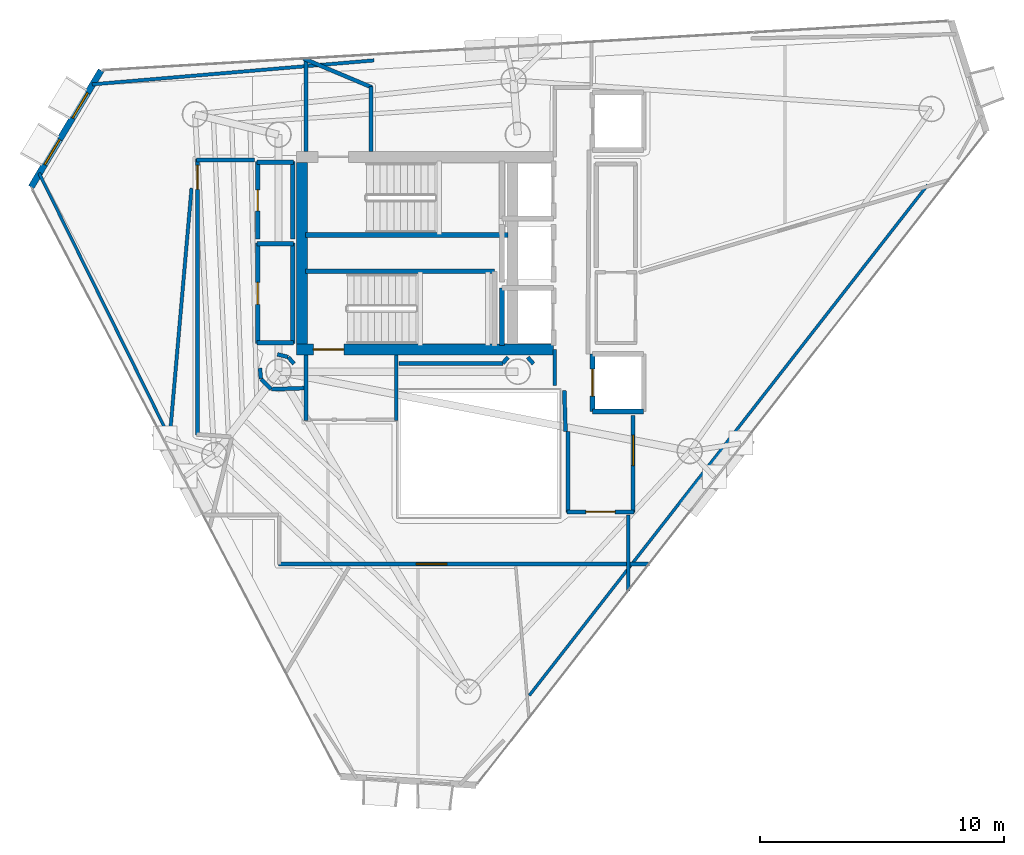
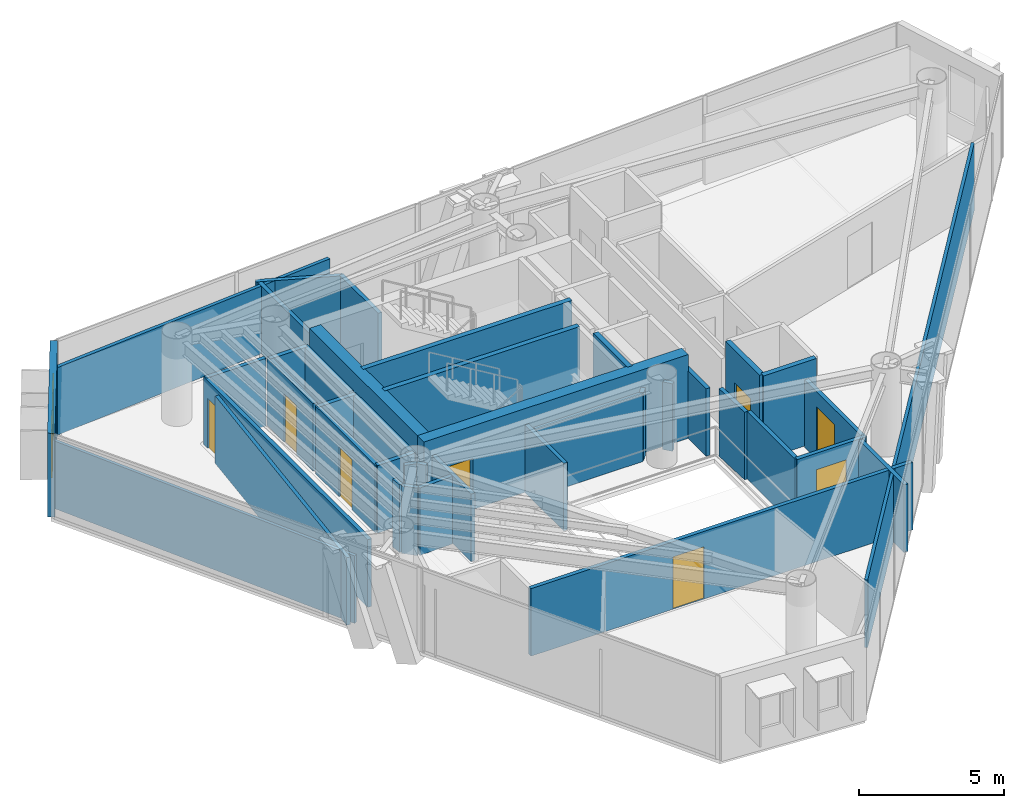
# One storey, part 14 of 18: 41 walls, 8 doors, 2 windows, 10 openings.
"""IFC4 building model written with IfcOpenShell, lengths in metres."""

from ifc_helpers import new_model, si_unit, direction, frame, frame_2d, origin, place, context, subcontext, project, spatial, rectangle, extrude, material, layer, layer_set, type_object, element, fill, save


model = new_model("IFC4")

# Units and contexts
model_context = context("Model", 3, precision=1e-05, world=origin(), true_north=direction((0.0, 1.0)))
body_context = subcontext(model_context, "Body", "Model", "MODEL_VIEW")
ifc_project = project(units=[si_unit("LENGTHUNIT", "METRE"), si_unit("AREAUNIT", "SQUARE_METRE"), si_unit("VOLUMEUNIT", "CUBIC_METRE"), si_unit("PLANEANGLEUNIT", "RADIAN"), si_unit("MASSUNIT", "GRAM", prefix="KILO")], contexts=[model_context])

# Site, building, storey
site_placement = place(None, origin())
site = spatial("IfcSite", under=ifc_project, at=site_placement, CompositionType="ELEMENT")
building_placement = place(site_placement, origin())
building = spatial("IfcBuilding", under=site, at=building_placement, Name="Qianvela Tower", CompositionType="ELEMENT")
storey_placement = place(building_placement, frame((0.0, 0.0, 264.89990234375)))
storey = spatial("IfcBuildingStorey", under=building, at=storey_placement, Name="L68", CompositionType="ELEMENT", Elevation=264.89990234375)

# Wall, openings, windows
ifc_material_1 = material(Name="Terracotta Cladding on Concrete C40", Category="masonry")
ifc_layer_1 = layer(ifc_material_1, 0.260009765625)
ifc_layer_set_1 = layer_set([ifc_layer_1], Name="Terracotta Cladding on Concrete C40")
wall_type_1 = type_object("IfcWallType", Name="TERRACOTTA-WALL-260", PredefinedType="SOLIDWALL", material=ifc_layer_set_1)
wall_1_placement = place(storey_placement, frame((21.33837890625, 36.18408203125, 0.0), z_axis=(0.0, 0.0, 1.0), x_axis=(-0.514044256725, -0.857763663329, 0.0)))
wall_1 = element("IfcWall", 1, at=wall_1_placement, inside=storey, type_object=wall_type_1, Name="L68 Terracotta Chamfer Facet Wall 3", PredefinedType="SOLIDWALL", context=body_context, shape_type="SweptSolid", body=[
    extrude(rectangle(XDim=5.567138671875, YDim=0.260009765625, at=frame_2d((2.78369140625, 0.0))), origin(), (0.0, 0.0, 1.0), 3.52001953125),
])
opening_1_placement = place(wall_1_placement, frame((1.070068359375, 0.0, 0.89990234375)))
opening_1 = element("IfcOpeningElement", 2, at=opening_1_placement, cuts=wall_1, Name="Opening W-03", PredefinedType="OPENING", context=body_context, shape_type="SweptSolid", body=[
    extrude(rectangle(XDim=1.199951171875, YDim=2.0, at=frame_2d((0.60009765625, 1.0))), frame((0.0, 0.139892578125, 0.0), z_axis=(0.0, -1.0, 0.0), x_axis=(1.0, 0.0, 0.0)), (0.0, 0.0, 1.0), 0.280029296875),
])
opening_2_placement = place(wall_1_placement, frame((3.297119140625, 0.0, 0.89990234375)))
opening_2 = element("IfcOpeningElement", 3, at=opening_2_placement, cuts=wall_1, Name="Opening W-03", PredefinedType="OPENING", context=body_context, shape_type="SweptSolid", body=[
    extrude(rectangle(XDim=1.199951171875, YDim=2.0, at=frame_2d((0.60009765625, 1.0))), frame((0.0, 0.139892578125, 0.0), z_axis=(0.0, -1.0, 0.0), x_axis=(1.0, 0.0, 0.0)), (0.0, 0.0, 1.0), 0.280029296875),
])
ifc_material_2 = material(Name="Thermally Broken Aluminium and Low-E Glass", Category="aluminium")
window_type = type_object("IfcWindowType", Name="WIN-TC-1200x2000", PartitioningType="SINGLE_PANEL", PredefinedType="WINDOW", material=ifc_material_2)
window_1_placement = place(opening_1_placement, origin())
window_1 = element("IfcWindow", 4, at=window_1_placement, inside=storey, type_object=window_type, Name="L68 Chamfer Facet Window 3.1", OverallHeight=2.0, OverallWidth=1.199951171875, PartitioningType="SINGLE_PANEL", PredefinedType="WINDOW", context=body_context, shape_type="SweptSolid", body=[
    extrude(rectangle(XDim=1.199951171875, YDim=2.0, at=frame_2d((0.60009765625, 1.0))), frame((0.0, 0.030029296875, 0.0), z_axis=(0.0, -1.0, 0.0), x_axis=(1.0, 0.0, 0.0)), (0.0, 0.0, 1.0), 0.06005859375),
])
fill(opening_1, window_1)
window_2_placement = place(opening_2_placement, origin())
window_2 = element("IfcWindow", 5, at=window_2_placement, inside=storey, type_object=window_type, Name="L68 Chamfer Facet Window 3.2", OverallHeight=2.0, OverallWidth=1.199951171875, PartitioningType="SINGLE_PANEL", PredefinedType="WINDOW", context=body_context, shape_type="SweptSolid", body=[
    extrude(rectangle(XDim=1.199951171875, YDim=2.0, at=frame_2d((0.60009765625, 1.0))), frame((0.0, 0.030029296875, 0.0), z_axis=(0.0, -1.0, 0.0), x_axis=(1.0, 0.0, 0.0)), (0.0, 0.0, 1.0), 0.06005859375),
])
fill(opening_2, window_2)

# Wall, opening, door
ifc_material_3 = material(Name="Concrete C50", Category="concrete")
ifc_layer_2 = layer(ifc_material_3, 0.449951171875)
ifc_layer_set_2 = layer_set([ifc_layer_2], Name="Concrete C50")
wall_type_2 = type_object("IfcWallType", Name="WT-CORE-450", PredefinedType="SHEAR", material=ifc_layer_set_2)
wall_2_placement = place(storey_placement, frame((29.330078125, 24.7548828125, 0.0), z_axis=(0.0, 0.0, 1.0), x_axis=(1.0, 0.0, 0.0)))
wall_2 = element("IfcWall", 6, at=wall_2_placement, inside=storey, type_object=wall_type_2, Name="L68 South Core Shear Wall", PredefinedType="SHEAR", context=body_context, shape_type="SweptSolid", body=[
    extrude(rectangle(XDim=10.52001953125, YDim=0.449951171875, at=frame_2d((5.260009765625, 0.0))), origin(), (0.0, 0.0, 1.0), 3.52001953125),
])
opening_3_placement = place(wall_2_placement, frame((0.695068359375, 0.0, 0.0)))
opening_3 = element("IfcOpeningElement", 7, at=opening_3_placement, cuts=wall_2, Name="Opening D-ST1", PredefinedType="OPENING", context=body_context, shape_type="SweptSolid", body=[
    extrude(rectangle(XDim=1.25, YDim=2.14990234375, at=frame_2d((0.625, 1.074951171875))), frame((0.0, 0.23486328125, 0.0), z_axis=(0.0, -1.0, 0.0), x_axis=(1.0, 0.0, 0.0)), (0.0, 0.0, 1.0), 0.469970703125),
])
ifc_material_4 = material(Name="Galvanised Fire Steel Q355B", Category="steel")
door_type_1 = type_object("IfcDoorType", Name="DT-STAIR-FD90", OperationType="NOTDEFINED", PredefinedType="DOOR", material=ifc_material_4)
door_1_placement = place(opening_3_placement, origin())
door_1 = element("IfcDoor", 8, at=door_1_placement, inside=storey, type_object=door_type_1, Name="L68 Stair ST-2 Exit Door", OperationType="SINGLE_SWING_RIGHT", OverallHeight=2.14990234375, OverallWidth=1.25, PredefinedType="DOOR", context=body_context, shape_type="SweptSolid", body=[
    extrude(rectangle(XDim=1.25, YDim=2.14990234375, at=frame_2d((0.625, 1.074951171875))), frame((0.0, 0.02490234375, 0.0), z_axis=(0.0, -1.0, 0.0), x_axis=(1.0, 0.0, 0.0)), (0.0, 0.0, 1.0), 0.050048828125),
])
fill(opening_3, door_1)

# Walls
wall_3_placement = place(storey_placement, frame((29.554931640625, 24.97998046875, 0.0), z_axis=(0.0, 0.0, 1.0), x_axis=(0.0, 1.0, 0.0)))
element("IfcWall", 9, at=wall_3_placement, inside=storey, type_object=wall_type_2, Name="L68 West Core Shear Wall", PredefinedType="SHEAR", context=body_context, shape_type="SweptSolid", body=[
    extrude(rectangle(XDim=7.43994140625, YDim=0.449951171875, at=frame_2d((3.719970703125, 0.0))), origin(), (0.0, 0.0, 1.0), 3.52001953125),
])
ifc_material_5 = material(Name="Fire-Rated Gypsum and Concrete Block", Category="concrete")
ifc_layer_3 = layer(ifc_material_5, 0.159912109375)
ifc_layer_set_3 = layer_set([ifc_layer_3], Name="Fire-Rated Gypsum and Concrete Block")
wall_type_3 = type_object("IfcWallType", Name="WT-CORR-160", PredefinedType="PARTITIONING", material=ifc_layer_set_3)
wall_4_placement = place(storey_placement, frame((29.73095703125, 32.85791015625, 0.0), z_axis=(0.0, 0.0, 1.0), x_axis=(0.0, 1.0, 0.0)))
element("IfcWall", 10, at=wall_4_placement, inside=storey, type_object=wall_type_3, Name="L68 Partition 2", PredefinedType="PARTITIONING", context=body_context, shape_type="SweptSolid", body=[
    extrude(rectangle(XDim=3.833984375, YDim=0.159912109375, at=frame_2d((1.9169921875, 0.0))), origin(), (0.0, 0.0, 1.0), 2.840087890625),
])
wall_5_placement = place(storey_placement, frame((29.631591796875, 36.666015625, 0.0), z_axis=(0.0, 0.0, 1.0), x_axis=(0.921284244724, -0.388889882131, 0.0)))
element("IfcWall", 11, at=wall_5_placement, inside=storey, type_object=wall_type_3, Name="L68 Partition 3", PredefinedType="PARTITIONING", context=body_context, shape_type="SweptSolid", body=[
    extrude(rectangle(XDim=3.026611328125, YDim=0.159912109375, at=frame_2d((1.51318359375, 0.0))), origin(), (0.0, 0.0, 1.0), 2.840087890625),
])
wall_6_placement = place(storey_placement, frame((32.388916015625, 35.52001953125, 0.0), z_axis=(0.0, 0.0, 1.0), x_axis=(0.0, -1.0, 0.0)))
element("IfcWall", 12, at=wall_6_placement, inside=storey, type_object=wall_type_3, Name="L68 Partition 4", PredefinedType="PARTITIONING", context=body_context, shape_type="SweptSolid", body=[
    extrude(rectangle(XDim=2.662109375, YDim=0.159912109375, at=frame_2d((1.3310546875, 0.0))), origin(), (0.0, 0.0, 1.0), 2.840087890625),
])
for number, where, z_axis, x_axis, name in (
    (13, (29.73095703125, 21.85009765625, 0.0), (0.0, 0.0, 1.0), (0.0, 1.0, 0.0), "L68 Partition 6"),
    (14, (33.4189453125, 24.5419921875, 0.0), (0.0, 0.0, 1.0), (0.0, -1.0, 0.0), "L68 Partition 8"),
):
    element("IfcWall", number, at=place(storey_placement, frame(where, z_axis=z_axis, x_axis=x_axis)), inside=storey, type_object=wall_type_3, Name=name, PredefinedType="PARTITIONING", context=body_context, shape_type="SweptSolid", body=[
        extrude(rectangle(XDim=2.69189453125, YDim=0.159912109375, at=frame_2d((1.345947265625, 0.0))), origin(), (0.0, 0.0, 1.0), 2.840087890625),
    ])
wall_7_placement = place(storey_placement, frame((40.35107421875, 21.40087890625, 0.0), z_axis=(0.0, 0.0, 1.0), x_axis=(-0.031058045979, 0.999517582527, 0.0)))
element("IfcWall", 15, at=wall_7_placement, inside=storey, type_object=wall_type_3, Name="L68 Partition 9", PredefinedType="PARTITIONING", context=body_context, shape_type="SweptSolid", body=[
    extrude(rectangle(XDim=1.68212890625, YDim=0.159912109375, at=frame_2d((0.841064453125, 0.0))), origin(), (0.0, 0.0, 1.0), 2.840087890625),
])
wall_8_placement = place(storey_placement, frame((39.910888671875, 23.280029296875, 0.0), z_axis=(0.0, 0.0, 1.0), x_axis=(0.0, 1.0, 0.0)))
element("IfcWall", 16, at=wall_8_placement, inside=storey, type_object=wall_type_3, Name="L68 Partition 10", PredefinedType="PARTITIONING", context=body_context, shape_type="SweptSolid", body=[
    extrude(rectangle(XDim=1.47998046875, YDim=0.159912109375, at=frame_2d((0.739990234375, 0.0))), origin(), (0.0, 0.0, 1.0), 2.840087890625),
])

# Wall, opening, door
wall_9_placement = place(storey_placement, frame((43.118896484375, 22.050048828125, 0.0), z_axis=(0.0, 0.0, 1.0), x_axis=(0.0, -1.0, 0.0)))
wall_9 = element("IfcWall", 17, at=wall_9_placement, inside=storey, type_object=wall_type_3, Name="L68 Partition 16", PredefinedType="PARTITIONING", context=body_context, shape_type="SweptSolid", body=[
    extrude(rectangle(XDim=3.969970703125, YDim=0.159912109375, at=frame_2d((1.98486328125, 0.0))), origin(), (0.0, 0.0, 1.0), 2.840087890625),
])
opening_4_placement = place(wall_9_placement, frame((0.800048828125, 0.0, 0.0)))
opening_4 = element("IfcOpeningElement", 18, at=opening_4_placement, cuts=wall_9, Name="Opening D-LG1", PredefinedType="OPENING", context=body_context, shape_type="SweptSolid", body=[
    extrude(rectangle(XDim=1.25, YDim=2.199951171875, at=frame_2d((0.625, 1.10009765625))), frame((0.0, 0.08984375, 0.0), z_axis=(0.0, -1.0, 0.0), x_axis=(1.0, 0.0, 0.0)), (0.0, 0.0, 1.0), 0.179931640625),
])
ifc_material_6 = material(Name="Anodised Aluminium Acoustic Glass Door", Category="aluminium")
door_type_2 = type_object("IfcDoorType", Name="DT-LOUNGE-1250", OperationType="NOTDEFINED", PredefinedType="DOOR", material=ifc_material_6)
door_2_placement = place(opening_4_placement, origin())
door_2 = element("IfcDoor", 19, at=door_2_placement, inside=storey, type_object=door_type_2, Name="L68 Door Graduate Seminar Classroom L68-02 to L68 Lift Lobby", OperationType="SINGLE_SWING_RIGHT", OverallHeight=2.199951171875, OverallWidth=1.25, PredefinedType="DOOR", context=body_context, shape_type="SweptSolid", body=[
    extrude(rectangle(XDim=1.25, YDim=2.199951171875, at=frame_2d((0.625, 1.10009765625))), frame((0.0, 0.02490234375, 0.0), z_axis=(0.0, -1.0, 0.0), x_axis=(1.0, 0.0, 0.0)), (0.0, 0.0, 1.0), 0.050048828125),
])
fill(opening_4, door_2)

wall_10_placement = place(storey_placement, frame((43.14990234375, 18.111083984375, 0.0), z_axis=(0.0, 0.0, 1.0), x_axis=(-1.0, 0.0, 0.0)))
wall_10 = element("IfcWall", 20, at=wall_10_placement, inside=storey, type_object=wall_type_3, Name="L68 Partition 17", PredefinedType="PARTITIONING", context=body_context, shape_type="SweptSolid", body=[
    extrude(rectangle(XDim=2.72998046875, YDim=0.159912109375, at=frame_2d((1.364990234375, 0.0))), origin(), (0.0, 0.0, 1.0), 2.840087890625),
])
opening_5_placement = place(wall_10_placement, frame((0.764892578125, 0.0, 0.0)))
opening_5 = element("IfcOpeningElement", 21, at=opening_5_placement, cuts=wall_10, Name="Opening D-LB1", PredefinedType="OPENING", context=body_context, shape_type="SweptSolid", body=[
    extrude(rectangle(XDim=1.199951171875, YDim=2.14990234375, at=frame_2d((0.60009765625, 1.074951171875))), frame((0.0, 0.08984375, 0.0), z_axis=(0.0, -1.0, 0.0), x_axis=(1.0, 0.0, 0.0)), (0.0, 0.0, 1.0), 0.179931640625),
])
ifc_material_7 = material(Name="Glazed Fire-Rated Steel Frame", Category="steel")
door_type_3 = type_object("IfcDoorType", Name="DT-LOBBY-FD90", OperationType="NOTDEFINED", PredefinedType="DOOR", material=ifc_material_7)
door_3_placement = place(opening_5_placement, origin())
door_3 = element("IfcDoor", 22, at=door_3_placement, inside=storey, type_object=door_type_3, Name="L68 Door L68 Lift Lobby to L68 Floor Corridor", OperationType="SINGLE_SWING_LEFT", OverallHeight=2.14990234375, OverallWidth=1.199951171875, PredefinedType="DOOR", context=body_context, shape_type="SweptSolid", body=[
    extrude(rectangle(XDim=1.199951171875, YDim=2.14990234375, at=frame_2d((0.60009765625, 1.074951171875))), frame((0.0, 0.02490234375, 0.0), z_axis=(0.0, -1.0, 0.0), x_axis=(1.0, 0.0, 0.0)), (0.0, 0.0, 1.0), 0.050048828125),
])
fill(opening_5, door_3)

# Walls
wall_11_placement = place(storey_placement, frame((40.450927734375, 18.080078125, 0.0), z_axis=(0.0, 0.0, 1.0), x_axis=(0.0, 1.0, 0.0)))
element("IfcWall", 23, at=wall_11_placement, inside=storey, type_object=wall_type_3, Name="L68 Partition 18 seg 1", PredefinedType="PARTITIONING", context=body_context, shape_type="SweptSolid", body=[
    extrude(rectangle(XDim=3.31982421875, YDim=0.159912109375, at=frame_2d((1.659912109375, 0.0))), origin(), (0.0, 0.0, 1.0), 2.840087890625),
])
wall_12_placement = place(storey_placement, frame((29.236083984375, 24.170166015625, 0.0), z_axis=(0.0, 0.0, 1.0), x_axis=(-0.652260263346, 0.757995084984, 0.0)))
element("IfcWall", 24, at=wall_12_placement, inside=storey, type_object=wall_type_3, Name="L68 Partition 39", PredefinedType="PARTITIONING", context=body_context, shape_type="SweptSolid", body=[
    extrude(rectangle(XDim=0.35546875, YDim=0.159912109375, at=frame_2d((0.177734375, 0.0))), origin(), (0.0, 0.0, 1.0), 2.840087890625),
])
wall_13_placement = place(storey_placement, frame((28.98828125, 24.44970703125, 0.0), z_axis=(0.0, 0.0, 1.0), x_axis=(-0.968704505916, 0.248216800836, 0.0)))
element("IfcWall", 25, at=wall_13_placement, inside=storey, type_object=wall_type_3, Name="L68 Partition 40", PredefinedType="PARTITIONING", context=body_context, shape_type="SweptSolid", body=[
    extrude(rectangle(XDim=0.444580078125, YDim=0.159912109375, at=frame_2d((0.22216796875, 0.0))), origin(), (0.0, 0.0, 1.0), 2.840087890625),
])
wall_14_placement = place(storey_placement, frame((39.0361328125, 24.170166015625, 0.0), z_axis=(0.0, 0.0, 1.0), x_axis=(-0.652260263346, 0.757995084984, 0.0)))
element("IfcWall", 26, at=wall_14_placement, inside=storey, type_object=wall_type_3, Name="L68 Partition 49", PredefinedType="PARTITIONING", context=body_context, shape_type="SweptSolid", body=[
    extrude(rectangle(XDim=0.35546875, YDim=0.159912109375, at=frame_2d((0.177734375, 0.0))), origin(), (0.0, 0.0, 1.0), 2.840087890625),
])
wall_15_placement = place(storey_placement, frame((37.995849609375, 24.439697265625, 0.0), z_axis=(0.0, 0.0, 1.0), x_axis=(-0.652425645794, -0.757852740782, 0.0)))
element("IfcWall", 27, at=wall_15_placement, inside=storey, type_object=wall_type_3, Name="L68 Partition 52", PredefinedType="PARTITIONING", context=body_context, shape_type="SweptSolid", body=[
    extrude(rectangle(XDim=0.319580078125, YDim=0.159912109375, at=frame_2d((0.15966796875, 0.0))), origin(), (0.0, 0.0, 1.0), 2.840087890625),
])
wall_16_placement = place(storey_placement, frame((37.787353515625, 24.180908203125, 0.0), z_axis=(0.0, 0.0, 1.0), x_axis=(-1.0, 0.0, 0.0)))
element("IfcWall", 28, at=wall_16_placement, inside=storey, type_object=wall_type_3, Name="L68 Partition 53", PredefinedType="PARTITIONING", context=body_context, shape_type="SweptSolid", body=[
    extrude(rectangle(XDim=4.25732421875, YDim=0.159912109375, at=frame_2d((2.128662109375, 0.0))), origin(), (0.0, 0.0, 1.0), 2.840087890625),
])
wall_17_placement = place(storey_placement, frame((27.83837890625, 23.9921875, 0.0), z_axis=(0.0, 0.0, 1.0), x_axis=(0.098273407977, -0.995159453196, 0.0)))
element("IfcWall", 29, at=wall_17_placement, inside=storey, type_object=wall_type_3, Name="L68 Partition 54", PredefinedType="PARTITIONING", context=body_context, shape_type="SweptSolid", body=[
    extrude(rectangle(XDim=0.432373046875, YDim=0.159912109375, at=frame_2d((0.21630859375, 0.0))), origin(), (0.0, 0.0, 1.0), 2.840087890625),
])
wall_18_placement = place(storey_placement, frame((27.889892578125, 23.54296875, 0.0), z_axis=(0.0, 0.0, 1.0), x_axis=(0.707106781187, -0.707106781187, 0.0)))
element("IfcWall", 30, at=wall_18_placement, inside=storey, type_object=wall_type_3, Name="L68 Partition 55", PredefinedType="PARTITIONING", context=body_context, shape_type="SweptSolid", body=[
    extrude(rectangle(XDim=0.570068359375, YDim=0.159912109375, at=frame_2d((0.28515625, 0.0))), origin(), (0.0, 0.0, 1.0), 2.840087890625),
])
wall_19_placement = place(storey_placement, frame((28.31591796875, 23.130615234375, 0.0), z_axis=(0.0, 0.0, 1.0), x_axis=(0.999405342193, 0.034481328227, 0.0)))
element("IfcWall", 31, at=wall_19_placement, inside=storey, type_object=wall_type_3, Name="L68 Partition 56", PredefinedType="PARTITIONING", context=body_context, shape_type="SweptSolid", body=[
    extrude(rectangle(XDim=1.323974609375, YDim=0.159912109375, at=frame_2d((0.662109375, 0.0))), origin(), (0.0, 0.0, 1.0), 2.840087890625),
])
wall_20_placement = place(storey_placement, frame((42.9189453125, 17.97998046875, 0.0), z_axis=(0.0, 0.0, 1.0), x_axis=(0.0, -1.0, 0.0)))
element("IfcWall", 32, at=wall_20_placement, inside=storey, type_object=wall_type_3, Name="L68 Partition 60", PredefinedType="PARTITIONING", context=body_context, shape_type="SweptSolid", body=[
    extrude(rectangle(XDim=3.106201171875, YDim=0.159912109375, at=frame_2d((1.55322265625, 0.0))), origin(), (0.0, 0.0, 1.0), 2.840087890625),
])

# Wall, opening, door
wall_21_placement = place(storey_placement, frame((43.787353515625, 15.98095703125, 0.0), z_axis=(0.0, 0.0, 1.0), x_axis=(-1.0, 0.0, 0.0)))
wall_21 = element("IfcWall", 33, at=wall_21_placement, inside=storey, type_object=wall_type_3, Name="L68 Partition 61", PredefinedType="PARTITIONING", context=body_context, shape_type="SweptSolid", body=[
    extrude(rectangle(XDim=15.187255859375, YDim=0.159912109375, at=frame_2d((7.59375, 0.0))), origin(), (0.0, 0.0, 1.0), 2.840087890625),
])
opening_6_placement = place(wall_21_placement, frame((8.29296875, 0.0, 0.0)))
opening_6 = element("IfcOpeningElement", 34, at=opening_6_placement, cuts=wall_21, Name="Opening D-LG1", PredefinedType="OPENING", context=body_context, shape_type="SweptSolid", body=[
    extrude(rectangle(XDim=1.25, YDim=2.199951171875, at=frame_2d((0.625, 1.10009765625))), frame((0.0, 0.08984375, 0.0), z_axis=(0.0, -1.0, 0.0), x_axis=(1.0, 0.0, 0.0)), (0.0, 0.0, 1.0), 0.179931640625),
])
door_4_placement = place(opening_6_placement, origin())
door_4 = element("IfcDoor", 35, at=door_4_placement, inside=storey, type_object=door_type_2, Name="L68 Door Debate Lecture Classroom L68-01 to L68 Floor Corridor", OperationType="SINGLE_SWING_LEFT", OverallHeight=2.199951171875, OverallWidth=1.25, PredefinedType="DOOR", context=body_context, shape_type="SweptSolid", body=[
    extrude(rectangle(XDim=1.25, YDim=2.199951171875, at=frame_2d((0.625, 1.10009765625))), frame((0.0, 0.02490234375, 0.0), z_axis=(0.0, -1.0, 0.0), x_axis=(1.0, 0.0, 0.0)), (0.0, 0.0, 1.0), 0.050048828125),
])
fill(opening_6, door_4)

wall_22_placement = place(storey_placement, frame((25.281005859375, 21.253173828125, 0.0), z_axis=(0.0, 0.0, 1.0), x_axis=(0.0, 1.0, 0.0)))
wall_22 = element("IfcWall", 36, at=wall_22_placement, inside=storey, type_object=wall_type_3, Name="L68 Partition 66", PredefinedType="PARTITIONING", context=body_context, shape_type="SweptSolid", body=[
    extrude(rectangle(XDim=11.296875, YDim=0.159912109375, at=frame_2d((5.6484375, 0.0))), origin(), (0.0, 0.0, 1.0), 2.840087890625),
])
opening_7_placement = place(wall_22_placement, frame((10.05859375, 0.0, 0.0)))
opening_7 = element("IfcOpeningElement", 37, at=opening_7_placement, cuts=wall_22, Name="Opening D-RM1", PredefinedType="OPENING", context=body_context, shape_type="SweptSolid", body=[
    extrude(rectangle(XDim=0.97998046875, YDim=2.10009765625, at=frame_2d((0.489990234375, 1.050048828125))), frame((0.0, 0.08984375, 0.0), z_axis=(0.0, -1.0, 0.0), x_axis=(1.0, 0.0, 0.0)), (0.0, 0.0, 1.0), 0.179931640625),
])
ifc_material_8 = material(Name="Solid Core Acoustic Timber Fire Door", Category="wood")
door_type_4 = type_object("IfcDoorType", Name="DT-ROOM-FD60", OperationType="NOTDEFINED", PredefinedType="DOOR", material=ifc_material_8)
door_5_placement = place(opening_7_placement, origin())
door_5 = element("IfcDoor", 38, at=door_5_placement, inside=storey, type_object=door_type_4, Name="L68 Door Print Copy Kiosk L68-03 to L68 Floor Corridor", OperationType="SINGLE_SWING_LEFT", OverallHeight=2.10009765625, OverallWidth=0.97998046875, PredefinedType="DOOR", context=body_context, shape_type="SweptSolid", body=[
    extrude(rectangle(XDim=0.97998046875, YDim=2.10009765625, at=frame_2d((0.489990234375, 1.050048828125))), frame((0.0, 0.02490234375, 0.0), z_axis=(0.0, -1.0, 0.0), x_axis=(1.0, 0.0, 0.0)), (0.0, 0.0, 1.0), 0.050048828125),
])
fill(opening_7, door_5)

# Walls
wall_23_placement = place(storey_placement, frame((25.25, 32.51904296875, 0.0), z_axis=(0.0, 0.0, 1.0), x_axis=(1.0, 0.0, 0.0)))
element("IfcWall", 39, at=wall_23_placement, inside=storey, type_object=wall_type_3, Name="L68 Partition 67", PredefinedType="PARTITIONING", context=body_context, shape_type="SweptSolid", body=[
    extrude(rectangle(XDim=2.3701171875, YDim=0.159912109375, at=frame_2d((1.18505859375, 0.0))), origin(), (0.0, 0.0, 1.0), 2.840087890625),
])
ifc_material_9 = material(Name="Insulated Gypsum Stud Partition")
ifc_layer_4 = layer(ifc_material_9, 0.1201171875)
ifc_layer_set_4 = layer_set([ifc_layer_4], Name="Insulated Gypsum Stud Partition")
wall_type_4 = type_object("IfcWallType", Name="WT-PART-120", PredefinedType="PARTITIONING", material=ifc_layer_set_4)
wall_24_placement = place(storey_placement, frame((55.17431640625, 31.494140625, 0.0), z_axis=(0.0, 0.0, 1.0), x_axis=(-0.615208730104, -0.788364267584, 0.0)))
element("IfcWall", 40, at=wall_24_placement, inside=storey, type_object=wall_type_4, Name="L68 Partition 82", PredefinedType="PARTITIONING", context=body_context, shape_type="SweptSolid", body=[
    extrude(rectangle(XDim=26.507080078125, YDim=0.1201171875, at=frame_2d((13.25341796875, 0.0))), origin(), (0.0, 0.0, 1.0), 2.840087890625),
])
wall_25_placement = place(storey_placement, frame((24.38134765625, 20.6689453125, 0.0), z_axis=(0.0, 0.0, 1.0), x_axis=(-0.442562257105, 0.896737781398, 0.0)))
element("IfcWall", 41, at=wall_25_placement, inside=storey, type_object=wall_type_4, Name="L68 Partition 100 seg 2", PredefinedType="PARTITIONING", context=body_context, shape_type="SweptSolid", body=[
    extrude(rectangle(XDim=12.613525390625, YDim=0.1201171875, at=frame_2d((6.306640625, 0.0))), origin(), (0.0, 0.0, 1.0), 2.840087890625),
])

# Wall, opening, door
ifc_material_10 = material(Name="Moisture-Resistant Acoustic Plumbing Wall")
ifc_layer_5 = layer(ifc_material_10, 0.175048828125)
ifc_layer_set_5 = layer_set([ifc_layer_5], Name="Moisture-Resistant Acoustic Plumbing Wall")
wall_type_5 = type_object("IfcWallType", Name="WT-PLUMB-175", PredefinedType="PLUMBINGWALL", material=ifc_layer_set_5)
wall_26_placement = place(storey_placement, frame((27.7509765625, 25.0, 0.0), z_axis=(0.0, 0.0, 1.0), x_axis=(0.0, 1.0, 0.0)))
wall_26 = element("IfcWall", 42, at=wall_26_placement, inside=storey, type_object=wall_type_5, Name="L68 Partition 27", PredefinedType="PLUMBINGWALL", context=body_context, shape_type="SweptSolid", body=[
    extrude(rectangle(XDim=4.1201171875, YDim=0.175048828125, at=frame_2d((2.06005859375, 0.0))), origin(), (0.0, 0.0, 1.0), 2.840087890625),
])
opening_8_placement = place(wall_26_placement, frame((1.610107421875, 0.0, 0.0)))
opening_8 = element("IfcOpeningElement", 43, at=opening_8_placement, cuts=wall_26, Name="Opening D-KT1", PredefinedType="OPENING", context=body_context, shape_type="SweptSolid", body=[
    extrude(rectangle(XDim=0.89990234375, YDim=2.10009765625, at=frame_2d((0.449951171875, 1.050048828125))), frame((0.0, 0.097412109375, 0.0), z_axis=(0.0, -1.0, 0.0), x_axis=(1.0, 0.0, 0.0)), (0.0, 0.0, 1.0), 0.195068359375),
])
ifc_material_11 = material(Name="Glazed Timber Kitchen Door", Category="wood")
door_type_5 = type_object("IfcDoorType", Name="DT-KITCH-900", OperationType="NOTDEFINED", PredefinedType="DOOR", material=ifc_material_11)
door_6_placement = place(opening_8_placement, origin())
door_6 = element("IfcDoor", 44, at=door_6_placement, inside=storey, type_object=door_type_5, Name="L68 Door L68 Core Tea Pantry West to L68 Floor Corridor", OperationType="SINGLE_SWING_RIGHT", OverallHeight=2.10009765625, OverallWidth=0.89990234375, PredefinedType="DOOR", context=body_context, shape_type="SweptSolid", body=[
    extrude(rectangle(XDim=0.89990234375, YDim=2.10009765625, at=frame_2d((0.449951171875, 1.050048828125))), frame((0.0, 0.02490234375, 0.0), z_axis=(0.0, -1.0, 0.0), x_axis=(1.0, 0.0, 0.0)), (0.0, 0.0, 1.0), 0.050048828125),
])
fill(opening_8, door_6)

# Walls
wall_27_placement = place(storey_placement, frame((27.719970703125, 29.089111328125, 0.0), z_axis=(0.0, 0.0, 1.0), x_axis=(1.0, 0.0, 0.0)))
element("IfcWall", 45, at=wall_27_placement, inside=storey, type_object=wall_type_5, Name="L68 Partition 28", PredefinedType="PLUMBINGWALL", context=body_context, shape_type="SweptSolid", body=[
    extrude(rectangle(XDim=1.5, YDim=0.175048828125, at=frame_2d((0.75, 0.0))), origin(), (0.0, 0.0, 1.0), 2.840087890625),
])
wall_28_placement = place(storey_placement, frame((29.18896484375, 29.1201171875, 0.0), z_axis=(0.0, 0.0, 1.0), x_axis=(0.0, -1.0, 0.0)))
element("IfcWall", 46, at=wall_28_placement, inside=storey, type_object=wall_type_5, Name="L68 Partition 29", PredefinedType="PLUMBINGWALL", context=body_context, shape_type="SweptSolid", body=[
    extrude(rectangle(XDim=4.1201171875, YDim=0.175048828125, at=frame_2d((2.06005859375, 0.0))), origin(), (0.0, 0.0, 1.0), 2.840087890625),
])
wall_29_placement = place(storey_placement, frame((29.219970703125, 25.031005859375, 0.0), z_axis=(0.0, 0.0, 1.0), x_axis=(-1.0, 0.0, 0.0)))
element("IfcWall", 47, at=wall_29_placement, inside=storey, type_object=wall_type_5, Name="L68 Partition 30", PredefinedType="PLUMBINGWALL", context=body_context, shape_type="SweptSolid", body=[
    extrude(rectangle(XDim=1.5, YDim=0.175048828125, at=frame_2d((0.75, 0.0))), origin(), (0.0, 0.0, 1.0), 2.840087890625),
])

# Wall, opening, door
wall_30_placement = place(storey_placement, frame((27.7509765625, 29.280029296875, 0.0), z_axis=(0.0, 0.0, 1.0), x_axis=(0.0, 1.0, 0.0)))
wall_30 = element("IfcWall", 48, at=wall_30_placement, inside=storey, type_object=wall_type_5, Name="L68 Partition 31", PredefinedType="PLUMBINGWALL", context=body_context, shape_type="SweptSolid", body=[
    extrude(rectangle(XDim=3.169921875, YDim=0.175048828125, at=frame_2d((1.5849609375, 0.0))), origin(), (0.0, 0.0, 1.0), 2.840087890625),
])
opening_9_placement = place(wall_30_placement, frame((1.155029296875, 0.0, 0.0)))
opening_9 = element("IfcOpeningElement", 49, at=opening_9_placement, cuts=wall_30, Name="Opening D-WC1", PredefinedType="OPENING", context=body_context, shape_type="SweptSolid", body=[
    extrude(rectangle(XDim=0.860107421875, YDim=2.050048828125, at=frame_2d((0.43017578125, 1.02490234375))), frame((0.0, 0.097412109375, 0.0), z_axis=(0.0, -1.0, 0.0), x_axis=(1.0, 0.0, 0.0)), (0.0, 0.0, 1.0), 0.195068359375),
])
ifc_material_12 = material(Name="Moisture-Sealed Acoustic Timber Door", Category="wood")
door_type_6 = type_object("IfcDoorType", Name="DT-WC-860", OperationType="NOTDEFINED", PredefinedType="DOOR", material=ifc_material_12)
door_7_placement = place(opening_9_placement, origin())
door_7 = element("IfcDoor", 50, at=door_7_placement, inside=storey, type_object=door_type_6, Name="L68 Door L68 Accessible WC to L68 Floor Corridor", OperationType="SINGLE_SWING_LEFT", OverallHeight=2.050048828125, OverallWidth=0.860107421875, PredefinedType="DOOR", context=body_context, shape_type="SweptSolid", body=[
    extrude(rectangle(XDim=0.860107421875, YDim=2.050048828125, at=frame_2d((0.43017578125, 1.02490234375))), frame((0.0, 0.02490234375, 0.0), z_axis=(0.0, -1.0, 0.0), x_axis=(1.0, 0.0, 0.0)), (0.0, 0.0, 1.0), 0.050048828125),
])
fill(opening_9, door_7)

# Walls
wall_31_placement = place(storey_placement, frame((27.719970703125, 32.4189453125, 0.0), z_axis=(0.0, 0.0, 1.0), x_axis=(1.0, 0.0, 0.0)))
element("IfcWall", 51, at=wall_31_placement, inside=storey, type_object=wall_type_5, Name="L68 Partition 32", PredefinedType="PLUMBINGWALL", context=body_context, shape_type="SweptSolid", body=[
    extrude(rectangle(XDim=1.5, YDim=0.175048828125, at=frame_2d((0.75, 0.0))), origin(), (0.0, 0.0, 1.0), 2.840087890625),
])
wall_32_placement = place(storey_placement, frame((29.18896484375, 32.449951171875, 0.0), z_axis=(0.0, 0.0, 1.0), x_axis=(0.0, -1.0, 0.0)))
element("IfcWall", 52, at=wall_32_placement, inside=storey, type_object=wall_type_5, Name="L68 Partition 33", PredefinedType="PLUMBINGWALL", context=body_context, shape_type="SweptSolid", body=[
    extrude(rectangle(XDim=3.169921875, YDim=0.175048828125, at=frame_2d((1.5849609375, 0.0))), origin(), (0.0, 0.0, 1.0), 2.840087890625),
])
ifc_material_13 = material(Name="Acoustic Double Gypsum Stud Partition")
ifc_layer_6 = layer(ifc_material_13, 0.139892578125)
ifc_layer_set_6 = layer_set([ifc_layer_6], Name="Acoustic Double Gypsum Stud Partition")
wall_type_6 = type_object("IfcWallType", Name="WT-ROOM-140", PredefinedType="PARTITIONING", material=ifc_layer_set_6)
wall_33_placement = place(storey_placement, frame((25.041015625, 31.36083984375, 0.0), z_axis=(0.0, 0.0, 1.0), x_axis=(-0.087216089741, -0.996189416572, 0.0)))
element("IfcWall", 53, at=wall_33_placement, inside=storey, type_object=wall_type_6, Name="L68 Partition 93 seg 2", PredefinedType="PARTITIONING", context=body_context, shape_type="SweptSolid", body=[
    extrude(rectangle(XDim=10.723876953125, YDim=0.139892578125, at=frame_2d((5.36181640625, 0.0))), origin(), (0.0, 0.0, 1.0), 2.840087890625),
])
wall_34_placement = place(storey_placement, frame((20.975830078125, 35.611083984375, 0.0), z_axis=(0.0, 0.0, 1.0), x_axis=(0.996394593443, 0.084839932569, 0.0)))
element("IfcWall", 54, at=wall_34_placement, inside=storey, type_object=wall_type_6, Name="L68 Partition 102 seg 1", PredefinedType="PARTITIONING", context=body_context, shape_type="SweptSolid", body=[
    extrude(rectangle(XDim=11.573974609375, YDim=0.139892578125, at=frame_2d((5.787109375, 0.0))), origin(), (0.0, 0.0, 1.0), 2.840087890625),
])
ifc_material_14 = material(Name="Concrete C50", Category="concrete")
ifc_layer_7 = layer(ifc_material_14, 0.199951171875)
ifc_layer_set_7 = layer_set([ifc_layer_7], Name="Concrete C50")
wall_type_7 = type_object("IfcWallType", Name="WT-SHAFT-200", PredefinedType="SOLIDWALL", material=ifc_layer_set_7)
wall_35_placement = place(storey_placement, frame((29.699951171875, 29.449951171875, 0.0), z_axis=(0.0, 0.0, 1.0), x_axis=(1.0, 0.0, 0.0)))
element("IfcWall", 55, at=wall_35_placement, inside=storey, type_object=wall_type_7, Name="L68 Stair ST-1 South Wall", PredefinedType="SOLIDWALL", context=body_context, shape_type="SweptSolid", body=[
    extrude(rectangle(XDim=8.300048828125, YDim=0.199951171875, at=frame_2d((4.14990234375, 0.0))), origin(), (0.0, 0.0, 1.0), 3.52001953125),
])
wall_36_placement = place(storey_placement, frame((29.699951171875, 27.9599609375, 0.0), z_axis=(0.0, 0.0, 1.0), x_axis=(1.0, 0.0, 0.0)))
element("IfcWall", 56, at=wall_36_placement, inside=storey, type_object=wall_type_7, Name="L68 Stair ST-2 North Wall", PredefinedType="SOLIDWALL", context=body_context, shape_type="SweptSolid", body=[
    extrude(rectangle(XDim=7.75, YDim=0.199951171875, at=frame_2d((3.875, 0.0))), origin(), (0.0, 0.0, 1.0), 3.52001953125),
])
wall_37_placement = place(storey_placement, frame((37.75, 24.919921875, 0.0), z_axis=(0.0, 0.0, 1.0), x_axis=(0.0, 1.0, 0.0)))
element("IfcWall", 57, at=wall_37_placement, inside=storey, type_object=wall_type_7, Name="L68 Lift FL-2 W Shaft Wall", PredefinedType="SOLIDWALL", context=body_context, shape_type="SweptSolid", body=[
    extrude(rectangle(XDim=2.360107421875, YDim=0.199951171875, at=frame_2d((1.18017578125, 0.0))), origin(), (0.0, 0.0, 1.0), 3.52001953125),
])

# Wall, opening, door
wall_38_placement = place(storey_placement, frame((41.449951171875, 22.219970703125, 0.0), z_axis=(0.0, 0.0, 1.0), x_axis=(0.0, 1.0, 0.0)))
wall_38 = element("IfcWall", 58, at=wall_38_placement, inside=storey, type_object=wall_type_7, Name="L68 Lift PL-H2 W Shaft Wall", PredefinedType="SOLIDWALL", context=body_context, shape_type="SweptSolid", body=[
    extrude(rectangle(XDim=2.360107421875, YDim=0.199951171875, at=frame_2d((1.18017578125, 0.0))), origin(), (0.0, 0.0, 1.0), 3.52001953125),
])
opening_10_placement = place(wall_38_placement, frame((0.6298828125, 0.0, 0.0)))
opening_10 = element("IfcOpeningElement", 59, at=opening_10_placement, cuts=wall_38, Name="Opening LD-01", PredefinedType="OPENING", context=body_context, shape_type="SweptSolid", body=[
    extrude(rectangle(XDim=1.10009765625, YDim=2.14990234375, at=frame_2d((0.550048828125, 1.074951171875))), frame((0.0, 0.10986328125, 0.0), z_axis=(0.0, -1.0, 0.0), x_axis=(1.0, 0.0, 0.0)), (0.0, 0.0, 1.0), 0.219970703125),
])
ifc_material_15 = material(Name="Brushed Stainless Steel Lift Landing Door", Category="steel")
door_type_7 = type_object("IfcDoorType", Name="DT-LIFT-SLIDE-1100", OperationType="SLIDING_TO_LEFT", PredefinedType="DOOR", material=ifc_material_15)
door_8_placement = place(opening_10_placement, origin())
door_8 = element("IfcDoor", 60, at=door_8_placement, inside=storey, type_object=door_type_7, Name="L68 Lift PL-H2 Sliding Landing Door", OperationType="SLIDING_TO_LEFT", OverallHeight=2.14990234375, OverallWidth=1.10009765625, PredefinedType="DOOR", context=body_context, shape_type="SweptSolid", body=[
    extrude(rectangle(XDim=1.10009765625, YDim=2.14990234375, at=frame_2d((0.550048828125, 1.074951171875))), frame((0.0, 0.02490234375, 0.0), z_axis=(0.0, -1.0, 0.0), x_axis=(1.0, 0.0, 0.0)), (0.0, 0.0, 1.0), 0.050048828125),
])
fill(opening_10, door_8)

# Wall
wall_39_placement = place(storey_placement, frame((41.449951171875, 22.219970703125, 0.0), z_axis=(0.0, 0.0, 1.0), x_axis=(1.0, 0.0, 0.0)))
element("IfcWall", 61, at=wall_39_placement, inside=storey, type_object=wall_type_7, Name="L68 Lift PL-H2 S Shaft Wall", PredefinedType="SOLIDWALL", context=body_context, shape_type="SweptSolid", body=[
    extrude(rectangle(XDim=2.10009765625, YDim=0.199951171875, at=frame_2d((1.050048828125, 0.0))), origin(), (0.0, 0.0, 1.0), 3.52001953125),
])

save(model, "model.ifc")
